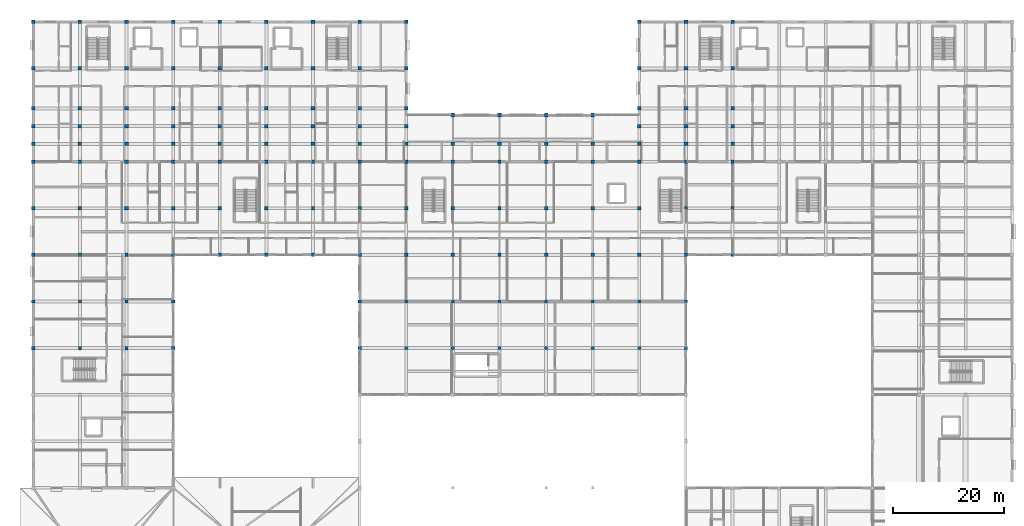
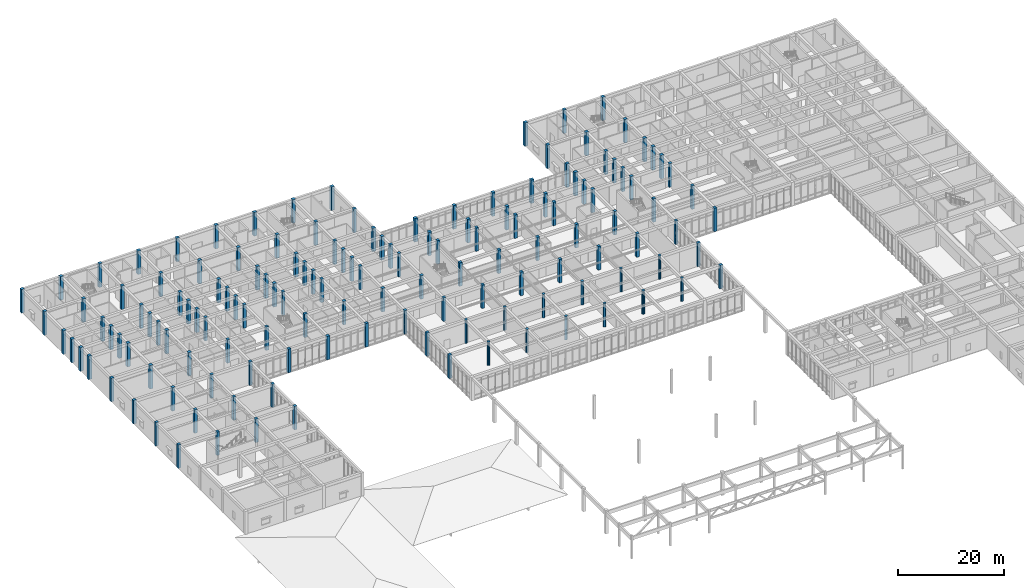
# One storey, part 3 of 89: 140 columns.
"""IFC4 building model written with IfcOpenShell, lengths in metres."""

from ifc_helpers import new_model, si_unit, direction, frame, origin, origin_2d, place, context, subcontext, project, spatial, rectangle, circle, extrude, material, material_profile, profile_set, type_object, element, save


model = new_model("IFC4")

# Units and contexts
model_context = context("Model", 3, precision=1e-05, world=origin(), true_north=direction((0.0, 1.0)))
body_context = subcontext(model_context, "Body", "Model", "MODEL_VIEW")
ifc_project = project(units=[si_unit("LENGTHUNIT", "METRE"), si_unit("AREAUNIT", "SQUARE_METRE"), si_unit("VOLUMEUNIT", "CUBIC_METRE"), si_unit("PLANEANGLEUNIT", "RADIAN"), si_unit("MASSUNIT", "GRAM", prefix="KILO")], contexts=[model_context])

# Site, building, storey
site_placement = place(None, origin())
site = spatial("IfcSite", under=ifc_project, at=site_placement, CompositionType="ELEMENT")
building_placement = place(site_placement, origin())
building = spatial("IfcBuilding", under=site, at=building_placement, Name="Varncliffe General Hospital", CompositionType="ELEMENT")
storey_placement = place(building_placement, frame((0.0, 0.0, 10.800048828125)))
storey = spatial("IfcBuildingStorey", under=building, at=storey_placement, Name="L02", CompositionType="ELEMENT", Elevation=10.800048828125)

# Columns
ifc_material = material(Name="Concrete C40/50 (CSA A23.1 40 MPa)", Category="concrete")
ifc_material_profile_1 = material_profile(ifc_material, rectangle(XDim=0.64990234375, YDim=0.64990234375, at=origin_2d()), Name="RC 650x650")
ifc_profile_set_1 = profile_set([ifc_material_profile_1], Name="Concrete C40/50 (CSA A23.1 40 MPa)")
column_type_1 = type_object("IfcColumnType", Name="Column C21 (Ext RC 650x650)", PredefinedType="COLUMN", material=ifc_profile_set_1)
for number, where, z_axis, x_axis, name in (
    (1, (0.0, 91.199951171875, 0.0), (0.0, 0.0, 1.0), (1.0, 0.0, 0.0), "L02 Column C21"),
    (2, (0.0, 99.60009765625, 0.0), (0.0, 0.0, 1.0), (1.0, 0.0, 0.0), "L02 Column C21"),
    (3, (0.0, 102.800048828125, 0.0), (0.0, 0.0, 1.0), (1.0, 0.0, 0.0), "L02 Column C21"),
    (4, (0.0, 106.0, 0.0), (0.0, 0.0, 1.0), (1.0, 0.0, 0.0), "L02 Column C21"),
    (5, (0.0, 109.199951171875, 0.0), (0.0, 0.0, 1.0), (1.0, 0.0, 0.0), "L02 Column C21"),
    (6, (0.0, 116.39990234375, 0.0), (0.0, 0.0, 1.0), (1.0, 0.0, 0.0), "L02 Column C21"),
    (7, (0.0, 124.800048828125, 0.0), (0.0, 0.0, 1.0), (1.0, 0.0, 0.0), "L02 Column C21"),
    (8, (8.39990234375, 124.800048828125, 0.0), (0.0, 0.0, 1.0), (1.0, 0.0, 0.0), "L02 Column C21"),
    (9, (16.800048828125, 124.800048828125, 0.0), (0.0, 0.0, 1.0), (1.0, 0.0, 0.0), "L02 Column C21"),
    (10, (25.199951171875, 124.800048828125, 0.0), (0.0, 0.0, 1.0), (1.0, 0.0, 0.0), "L02 Column C21"),
    (11, (33.60009765625, 124.800048828125, 0.0), (0.0, 0.0, 1.0), (1.0, 0.0, 0.0), "L02 Column C21"),
    (12, (42.0, 124.800048828125, 0.0), (0.0, 0.0, 1.0), (1.0, 0.0, 0.0), "L02 Column C21"),
    (13, (50.39990234375, 124.800048828125, 0.0), (0.0, 0.0, 1.0), (1.0, 0.0, 0.0), "L02 Column C21"),
    (14, (58.800048828125, 124.800048828125, 0.0), (0.0, 0.0, 1.0), (1.0, 0.0, 0.0), "L02 Column C21"),
    (15, (67.199951171875, 109.199951171875, 0.0), (0.0, 0.0, 1.0), (1.0, 0.0, 0.0), "L02 Column C21"),
    (16, (67.199951171875, 116.39990234375, 0.0), (0.0, 0.0, 1.0), (1.0, 0.0, 0.0), "L02 Column C21"),
    (17, (67.199951171875, 124.800048828125, 0.0), (0.0, 0.0, 1.0), (1.0, 0.0, 0.0), "L02 Column C21"),
    (18, (75.60009765625, 108.0, 0.0), (0.0, 0.0, 1.0), (1.0, 0.0, 0.0), "L02 Column C21"),
    (19, (84.0, 108.0, 0.0), (0.0, 0.0, 1.0), (1.0, 0.0, 0.0), "L02 Column C21"),
    (20, (92.39990234375, 108.0, 0.0), (0.0, 0.0, 1.0), (1.0, 0.0, 0.0), "L02 Column C21"),
    (21, (100.800048828125, 108.0, 0.0), (0.0, 0.0, 1.0), (1.0, 0.0, 0.0), "L02 Column C21"),
    (22, (109.199951171875, 109.199951171875, 0.0), (0.0, 0.0, 1.0), (1.0, 0.0, 0.0), "L02 Column C21"),
    (23, (109.199951171875, 116.39990234375, 0.0), (0.0, 0.0, 1.0), (1.0, 0.0, 0.0), "L02 Column C21"),
    (24, (109.199951171875, 124.800048828125, 0.0), (0.0, 0.0, 1.0), (1.0, 0.0, 0.0), "L02 Column C21"),
    (25, (117.60009765625, 124.800048828125, 0.0), (0.0, 0.0, 1.0), (1.0, 0.0, 0.0), "L02 Column C21"),
    (26, (126.0, 124.800048828125, 0.0), (0.0, 0.0, 1.0), (1.0, 0.0, 0.0), "L02 Column C21"),
):
    element("IfcColumn", number, at=place(storey_placement, frame(where, z_axis=z_axis, x_axis=x_axis)), inside=storey, type_object=column_type_1, Name=name, PredefinedType="COLUMN", context=body_context, shape_type="SweptSolid", body=[
        extrude(rectangle(XDim=0.64990234375, YDim=0.64990234375, at=origin_2d()), origin(), (0.0, 0.0, 1.0), 5.39990234375),
    ])
ifc_material_profile_2 = material_profile(ifc_material, circle(Radius=0.300048828125, at=origin_2d()), Name="RC D600")
ifc_profile_set_2 = profile_set([ifc_material_profile_2], Name="Concrete C40/50 (CSA A23.1 40 MPa)")
column_type_2 = type_object("IfcColumnType", Name="Column C22 (Int RC D600)", PredefinedType="COLUMN", material=ifc_profile_set_2)
for number, where, z_axis, x_axis, name in (
    (27, (67.199951171875, 66.0, 0.0), (0.0, 0.0, 1.0), (1.0, 0.0, 0.0), "L02 Column C22"),
    (28, (67.199951171875, 74.39990234375, 0.0), (0.0, 0.0, 1.0), (1.0, 0.0, 0.0), "L02 Column C22"),
    (29, (75.60009765625, 66.0, 0.0), (0.0, 0.0, 1.0), (1.0, 0.0, 0.0), "L02 Column C22"),
    (30, (75.60009765625, 74.39990234375, 0.0), (0.0, 0.0, 1.0), (1.0, 0.0, 0.0), "L02 Column C22"),
    (31, (84.0, 66.0, 0.0), (0.0, 0.0, 1.0), (1.0, 0.0, 0.0), "L02 Column C22"),
    (32, (84.0, 74.39990234375, 0.0), (0.0, 0.0, 1.0), (1.0, 0.0, 0.0), "L02 Column C22"),
    (33, (92.39990234375, 66.0, 0.0), (0.0, 0.0, 1.0), (1.0, 0.0, 0.0), "L02 Column C22"),
    (34, (92.39990234375, 74.39990234375, 0.0), (0.0, 0.0, 1.0), (1.0, 0.0, 0.0), "L02 Column C22"),
    (35, (100.800048828125, 66.0, 0.0), (0.0, 0.0, 1.0), (1.0, 0.0, 0.0), "L02 Column C22"),
    (36, (100.800048828125, 74.39990234375, 0.0), (0.0, 0.0, 1.0), (1.0, 0.0, 0.0), "L02 Column C22"),
    (37, (109.199951171875, 66.0, 0.0), (0.0, 0.0, 1.0), (1.0, 0.0, 0.0), "L02 Column C22"),
    (38, (109.199951171875, 74.39990234375, 0.0), (0.0, 0.0, 1.0), (1.0, 0.0, 0.0), "L02 Column C22"),
):
    element("IfcColumn", number, at=place(storey_placement, frame(where, z_axis=z_axis, x_axis=x_axis)), inside=storey, type_object=column_type_2, Name=name, PredefinedType="COLUMN", context=body_context, shape_type="SweptSolid", body=[
        extrude(circle(Radius=0.300048828125, at=origin_2d()), origin(), (0.0, 0.0, 1.0), 5.39990234375),
    ])
ifc_material_profile_3 = material_profile(ifc_material, rectangle(XDim=0.60009765625, YDim=0.60009765625, at=origin_2d()), Name="RC 600x600")
ifc_profile_set_3 = profile_set([ifc_material_profile_3], Name="Concrete C40/50 (CSA A23.1 40 MPa)")
column_type_3 = type_object("IfcColumnType", Name="Column C27 (Ext RC 600x600)", PredefinedType="COLUMN", material=ifc_profile_set_3)
for number, where, z_axis, x_axis, name in (
    (39, (0.0, 66.0, 0.0), (0.0, 0.0, 1.0), (1.0, 0.0, 0.0), "L02 Column C27"),
    (40, (0.0, 74.39990234375, 0.0), (0.0, 0.0, 1.0), (1.0, 0.0, 0.0), "L02 Column C27"),
    (41, (0.0, 82.800048828125, 0.0), (0.0, 0.0, 1.0), (1.0, 0.0, 0.0), "L02 Column C27"),
    (42, (25.199951171875, 66.0, 0.0), (0.0, 0.0, 1.0), (1.0, 0.0, 0.0), "L02 Column C27"),
    (43, (25.199951171875, 74.39990234375, 0.0), (0.0, 0.0, 1.0), (1.0, 0.0, 0.0), "L02 Column C27"),
    (44, (25.199951171875, 82.800048828125, 0.0), (0.0, 0.0, 1.0), (1.0, 0.0, 0.0), "L02 Column C27"),
    (45, (33.60009765625, 82.800048828125, 0.0), (0.0, 0.0, 1.0), (1.0, 0.0, 0.0), "L02 Column C27"),
    (46, (42.0, 82.800048828125, 0.0), (0.0, 0.0, 1.0), (1.0, 0.0, 0.0), "L02 Column C27"),
    (47, (50.39990234375, 82.800048828125, 0.0), (0.0, 0.0, 1.0), (1.0, 0.0, 0.0), "L02 Column C27"),
    (48, (58.800048828125, 66.0, 0.0), (0.0, 0.0, 1.0), (1.0, 0.0, 0.0), "L02 Column C27"),
    (49, (58.800048828125, 74.39990234375, 0.0), (0.0, 0.0, 1.0), (1.0, 0.0, 0.0), "L02 Column C27"),
    (50, (58.800048828125, 82.800048828125, 0.0), (0.0, 0.0, 1.0), (1.0, 0.0, 0.0), "L02 Column C27"),
    (51, (117.60009765625, 66.0, 0.0), (0.0, 0.0, 1.0), (1.0, 0.0, 0.0), "L02 Column C27"),
    (52, (117.60009765625, 74.39990234375, 0.0), (0.0, 0.0, 1.0), (1.0, 0.0, 0.0), "L02 Column C27"),
    (53, (117.60009765625, 82.800048828125, 0.0), (0.0, 0.0, 1.0), (1.0, 0.0, 0.0), "L02 Column C27"),
    (54, (126.0, 82.800048828125, 0.0), (0.0, 0.0, 1.0), (1.0, 0.0, 0.0), "L02 Column C27"),
):
    element("IfcColumn", number, at=place(storey_placement, frame(where, z_axis=z_axis, x_axis=x_axis)), inside=storey, type_object=column_type_3, Name=name, PredefinedType="COLUMN", context=body_context, shape_type="SweptSolid", body=[
        extrude(rectangle(XDim=0.60009765625, YDim=0.60009765625, at=origin_2d()), origin(), (0.0, 0.0, 1.0), 5.39990234375),
    ])
ifc_material_profile_4 = material_profile(ifc_material, rectangle(XDim=0.64990234375, YDim=0.64990234375, at=origin_2d()), Name="RC 650x650")
ifc_profile_set_4 = profile_set([ifc_material_profile_4], Name="Concrete C40/50 (CSA A23.1 40 MPa)")
column_type_4 = type_object("IfcColumnType", Name="Column C29 (Int RC 650x650)", PredefinedType="COLUMN", material=ifc_profile_set_4)
for number, where, z_axis, x_axis, name in (
    (55, (8.39990234375, 91.199951171875, 0.0), (0.0, 0.0, 1.0), (1.0, 0.0, 0.0), "L02 Column C29"),
    (56, (8.39990234375, 99.60009765625, 0.0), (0.0, 0.0, 1.0), (1.0, 0.0, 0.0), "L02 Column C29"),
    (57, (8.39990234375, 102.800048828125, 0.0), (0.0, 0.0, 1.0), (1.0, 0.0, 0.0), "L02 Column C29"),
    (58, (8.39990234375, 106.0, 0.0), (0.0, 0.0, 1.0), (1.0, 0.0, 0.0), "L02 Column C29"),
    (59, (8.39990234375, 109.199951171875, 0.0), (0.0, 0.0, 1.0), (1.0, 0.0, 0.0), "L02 Column C29"),
    (60, (8.39990234375, 116.39990234375, 0.0), (0.0, 0.0, 1.0), (1.0, 0.0, 0.0), "L02 Column C29"),
    (61, (16.800048828125, 91.199951171875, 0.0), (0.0, 0.0, 1.0), (1.0, 0.0, 0.0), "L02 Column C29"),
    (62, (16.800048828125, 99.60009765625, 0.0), (0.0, 0.0, 1.0), (1.0, 0.0, 0.0), "L02 Column C29"),
    (63, (16.800048828125, 102.800048828125, 0.0), (0.0, 0.0, 1.0), (1.0, 0.0, 0.0), "L02 Column C29"),
    (64, (16.800048828125, 106.0, 0.0), (0.0, 0.0, 1.0), (1.0, 0.0, 0.0), "L02 Column C29"),
    (65, (16.800048828125, 109.199951171875, 0.0), (0.0, 0.0, 1.0), (1.0, 0.0, 0.0), "L02 Column C29"),
    (66, (16.800048828125, 116.39990234375, 0.0), (0.0, 0.0, 1.0), (1.0, 0.0, 0.0), "L02 Column C29"),
    (67, (25.199951171875, 102.800048828125, 0.0), (0.0, 0.0, 1.0), (1.0, 0.0, 0.0), "L02 Column C29"),
    (68, (25.199951171875, 106.0, 0.0), (0.0, 0.0, 1.0), (1.0, 0.0, 0.0), "L02 Column C29"),
    (69, (25.199951171875, 109.199951171875, 0.0), (0.0, 0.0, 1.0), (1.0, 0.0, 0.0), "L02 Column C29"),
    (70, (25.199951171875, 116.39990234375, 0.0), (0.0, 0.0, 1.0), (1.0, 0.0, 0.0), "L02 Column C29"),
    (71, (33.60009765625, 102.800048828125, 0.0), (0.0, 0.0, 1.0), (1.0, 0.0, 0.0), "L02 Column C29"),
    (72, (33.60009765625, 106.0, 0.0), (0.0, 0.0, 1.0), (1.0, 0.0, 0.0), "L02 Column C29"),
    (73, (33.60009765625, 109.199951171875, 0.0), (0.0, 0.0, 1.0), (1.0, 0.0, 0.0), "L02 Column C29"),
    (74, (33.60009765625, 116.39990234375, 0.0), (0.0, 0.0, 1.0), (1.0, 0.0, 0.0), "L02 Column C29"),
    (75, (42.0, 102.800048828125, 0.0), (0.0, 0.0, 1.0), (1.0, 0.0, 0.0), "L02 Column C29"),
    (76, (42.0, 106.0, 0.0), (0.0, 0.0, 1.0), (1.0, 0.0, 0.0), "L02 Column C29"),
    (77, (42.0, 109.199951171875, 0.0), (0.0, 0.0, 1.0), (1.0, 0.0, 0.0), "L02 Column C29"),
    (78, (42.0, 116.39990234375, 0.0), (0.0, 0.0, 1.0), (1.0, 0.0, 0.0), "L02 Column C29"),
    (79, (50.39990234375, 102.800048828125, 0.0), (0.0, 0.0, 1.0), (1.0, 0.0, 0.0), "L02 Column C29"),
    (80, (50.39990234375, 106.0, 0.0), (0.0, 0.0, 1.0), (1.0, 0.0, 0.0), "L02 Column C29"),
    (81, (50.39990234375, 109.199951171875, 0.0), (0.0, 0.0, 1.0), (1.0, 0.0, 0.0), "L02 Column C29"),
    (82, (50.39990234375, 116.39990234375, 0.0), (0.0, 0.0, 1.0), (1.0, 0.0, 0.0), "L02 Column C29"),
    (83, (58.800048828125, 102.800048828125, 0.0), (0.0, 0.0, 1.0), (1.0, 0.0, 0.0), "L02 Column C29"),
    (84, (58.800048828125, 106.0, 0.0), (0.0, 0.0, 1.0), (1.0, 0.0, 0.0), "L02 Column C29"),
    (85, (58.800048828125, 109.199951171875, 0.0), (0.0, 0.0, 1.0), (1.0, 0.0, 0.0), "L02 Column C29"),
    (86, (58.800048828125, 116.39990234375, 0.0), (0.0, 0.0, 1.0), (1.0, 0.0, 0.0), "L02 Column C29"),
    (87, (67.199951171875, 102.800048828125, 0.0), (0.0, 0.0, 1.0), (1.0, 0.0, 0.0), "L02 Column C29"),
    (88, (67.199951171875, 106.0, 0.0), (0.0, 0.0, 1.0), (1.0, 0.0, 0.0), "L02 Column C29"),
    (89, (75.60009765625, 102.800048828125, 0.0), (0.0, 0.0, 1.0), (1.0, 0.0, 0.0), "L02 Column C29"),
    (90, (84.0, 102.800048828125, 0.0), (0.0, 0.0, 1.0), (1.0, 0.0, 0.0), "L02 Column C29"),
    (91, (92.39990234375, 102.800048828125, 0.0), (0.0, 0.0, 1.0), (1.0, 0.0, 0.0), "L02 Column C29"),
    (92, (100.800048828125, 102.800048828125, 0.0), (0.0, 0.0, 1.0), (1.0, 0.0, 0.0), "L02 Column C29"),
    (93, (109.199951171875, 102.800048828125, 0.0), (0.0, 0.0, 1.0), (1.0, 0.0, 0.0), "L02 Column C29"),
    (94, (109.199951171875, 106.0, 0.0), (0.0, 0.0, 1.0), (1.0, 0.0, 0.0), "L02 Column C29"),
    (95, (117.60009765625, 102.800048828125, 0.0), (0.0, 0.0, 1.0), (1.0, 0.0, 0.0), "L02 Column C29"),
    (96, (117.60009765625, 106.0, 0.0), (0.0, 0.0, 1.0), (1.0, 0.0, 0.0), "L02 Column C29"),
    (97, (117.60009765625, 109.199951171875, 0.0), (0.0, 0.0, 1.0), (1.0, 0.0, 0.0), "L02 Column C29"),
    (98, (117.60009765625, 116.39990234375, 0.0), (0.0, 0.0, 1.0), (1.0, 0.0, 0.0), "L02 Column C29"),
    (99, (126.0, 102.800048828125, 0.0), (0.0, 0.0, 1.0), (1.0, 0.0, 0.0), "L02 Column C29"),
    (100, (126.0, 106.0, 0.0), (0.0, 0.0, 1.0), (1.0, 0.0, 0.0), "L02 Column C29"),
    (101, (126.0, 109.199951171875, 0.0), (0.0, 0.0, 1.0), (1.0, 0.0, 0.0), "L02 Column C29"),
    (102, (126.0, 116.39990234375, 0.0), (0.0, 0.0, 1.0), (1.0, 0.0, 0.0), "L02 Column C29"),
):
    element("IfcColumn", number, at=place(storey_placement, frame(where, z_axis=z_axis, x_axis=x_axis)), inside=storey, type_object=column_type_4, Name=name, PredefinedType="COLUMN", context=body_context, shape_type="SweptSolid", body=[
        extrude(rectangle(XDim=0.64990234375, YDim=0.64990234375, at=origin_2d()), origin(), (0.0, 0.0, 1.0), 5.39990234375),
    ])
ifc_material_profile_5 = material_profile(ifc_material, rectangle(XDim=0.60009765625, YDim=0.60009765625, at=origin_2d()), Name="RC 600x600")
ifc_profile_set_5 = profile_set([ifc_material_profile_5], Name="Concrete C40/50 (CSA A23.1 40 MPa)")
column_type_5 = type_object("IfcColumnType", Name="Column C82 (Int RC 600x600)", PredefinedType="COLUMN", material=ifc_profile_set_5)
for number, where, z_axis, x_axis, name in (
    (103, (8.39990234375, 66.0, 0.0), (0.0, 0.0, 1.0), (1.0, 0.0, 0.0), "L02 Column C82"),
    (104, (8.39990234375, 74.39990234375, 0.0), (0.0, 0.0, 1.0), (1.0, 0.0, 0.0), "L02 Column C82"),
    (105, (8.39990234375, 82.800048828125, 0.0), (0.0, 0.0, 1.0), (1.0, 0.0, 0.0), "L02 Column C82"),
    (106, (16.800048828125, 66.0, 0.0), (0.0, 0.0, 1.0), (1.0, 0.0, 0.0), "L02 Column C82"),
    (107, (16.800048828125, 74.39990234375, 0.0), (0.0, 0.0, 1.0), (1.0, 0.0, 0.0), "L02 Column C82"),
    (108, (16.800048828125, 82.800048828125, 0.0), (0.0, 0.0, 1.0), (1.0, 0.0, 0.0), "L02 Column C82"),
    (109, (25.199951171875, 91.199951171875, 0.0), (0.0, 0.0, 1.0), (1.0, 0.0, 0.0), "L02 Column C82"),
    (110, (25.199951171875, 99.60009765625, 0.0), (0.0, 0.0, 1.0), (1.0, 0.0, 0.0), "L02 Column C82"),
    (111, (33.60009765625, 91.199951171875, 0.0), (0.0, 0.0, 1.0), (1.0, 0.0, 0.0), "L02 Column C82"),
    (112, (33.60009765625, 99.60009765625, 0.0), (0.0, 0.0, 1.0), (1.0, 0.0, 0.0), "L02 Column C82"),
    (113, (42.0, 91.199951171875, 0.0), (0.0, 0.0, 1.0), (1.0, 0.0, 0.0), "L02 Column C82"),
    (114, (42.0, 99.60009765625, 0.0), (0.0, 0.0, 1.0), (1.0, 0.0, 0.0), "L02 Column C82"),
    (115, (50.39990234375, 91.199951171875, 0.0), (0.0, 0.0, 1.0), (1.0, 0.0, 0.0), "L02 Column C82"),
    (116, (50.39990234375, 99.60009765625, 0.0), (0.0, 0.0, 1.0), (1.0, 0.0, 0.0), "L02 Column C82"),
    (117, (58.800048828125, 91.199951171875, 0.0), (0.0, 0.0, 1.0), (1.0, 0.0, 0.0), "L02 Column C82"),
    (118, (58.800048828125, 99.60009765625, 0.0), (0.0, 0.0, 1.0), (1.0, 0.0, 0.0), "L02 Column C82"),
    (119, (67.199951171875, 82.800048828125, 0.0), (0.0, 0.0, 1.0), (1.0, 0.0, 0.0), "L02 Column C82"),
    (120, (67.199951171875, 91.199951171875, 0.0), (0.0, 0.0, 1.0), (1.0, 0.0, 0.0), "L02 Column C82"),
    (121, (67.199951171875, 99.60009765625, 0.0), (0.0, 0.0, 1.0), (1.0, 0.0, 0.0), "L02 Column C82"),
    (122, (75.60009765625, 82.800048828125, 0.0), (0.0, 0.0, 1.0), (1.0, 0.0, 0.0), "L02 Column C82"),
    (123, (75.60009765625, 91.199951171875, 0.0), (0.0, 0.0, 1.0), (1.0, 0.0, 0.0), "L02 Column C82"),
    (124, (75.60009765625, 99.60009765625, 0.0), (0.0, 0.0, 1.0), (1.0, 0.0, 0.0), "L02 Column C82"),
    (125, (84.0, 82.800048828125, 0.0), (0.0, 0.0, 1.0), (1.0, 0.0, 0.0), "L02 Column C82"),
    (126, (84.0, 91.199951171875, 0.0), (0.0, 0.0, 1.0), (1.0, 0.0, 0.0), "L02 Column C82"),
    (127, (84.0, 99.60009765625, 0.0), (0.0, 0.0, 1.0), (1.0, 0.0, 0.0), "L02 Column C82"),
    (128, (92.39990234375, 82.800048828125, 0.0), (0.0, 0.0, 1.0), (1.0, 0.0, 0.0), "L02 Column C82"),
    (129, (92.39990234375, 91.199951171875, 0.0), (0.0, 0.0, 1.0), (1.0, 0.0, 0.0), "L02 Column C82"),
    (130, (92.39990234375, 99.60009765625, 0.0), (0.0, 0.0, 1.0), (1.0, 0.0, 0.0), "L02 Column C82"),
    (131, (100.800048828125, 82.800048828125, 0.0), (0.0, 0.0, 1.0), (1.0, 0.0, 0.0), "L02 Column C82"),
    (132, (100.800048828125, 91.199951171875, 0.0), (0.0, 0.0, 1.0), (1.0, 0.0, 0.0), "L02 Column C82"),
    (133, (100.800048828125, 99.60009765625, 0.0), (0.0, 0.0, 1.0), (1.0, 0.0, 0.0), "L02 Column C82"),
    (134, (109.199951171875, 82.800048828125, 0.0), (0.0, 0.0, 1.0), (1.0, 0.0, 0.0), "L02 Column C82"),
    (135, (109.199951171875, 91.199951171875, 0.0), (0.0, 0.0, 1.0), (1.0, 0.0, 0.0), "L02 Column C82"),
    (136, (109.199951171875, 99.60009765625, 0.0), (0.0, 0.0, 1.0), (1.0, 0.0, 0.0), "L02 Column C82"),
    (137, (117.60009765625, 91.199951171875, 0.0), (0.0, 0.0, 1.0), (1.0, 0.0, 0.0), "L02 Column C82"),
    (138, (117.60009765625, 99.60009765625, 0.0), (0.0, 0.0, 1.0), (1.0, 0.0, 0.0), "L02 Column C82"),
    (139, (126.0, 91.199951171875, 0.0), (0.0, 0.0, 1.0), (1.0, 0.0, 0.0), "L02 Column C82"),
    (140, (126.0, 99.60009765625, 0.0), (0.0, 0.0, 1.0), (1.0, 0.0, 0.0), "L02 Column C82"),
):
    element("IfcColumn", number, at=place(storey_placement, frame(where, z_axis=z_axis, x_axis=x_axis)), inside=storey, type_object=column_type_5, Name=name, PredefinedType="COLUMN", context=body_context, shape_type="SweptSolid", body=[
        extrude(rectangle(XDim=0.60009765625, YDim=0.60009765625, at=origin_2d()), origin(), (0.0, 0.0, 1.0), 5.39990234375),
    ])

save(model, "model.ifc")
